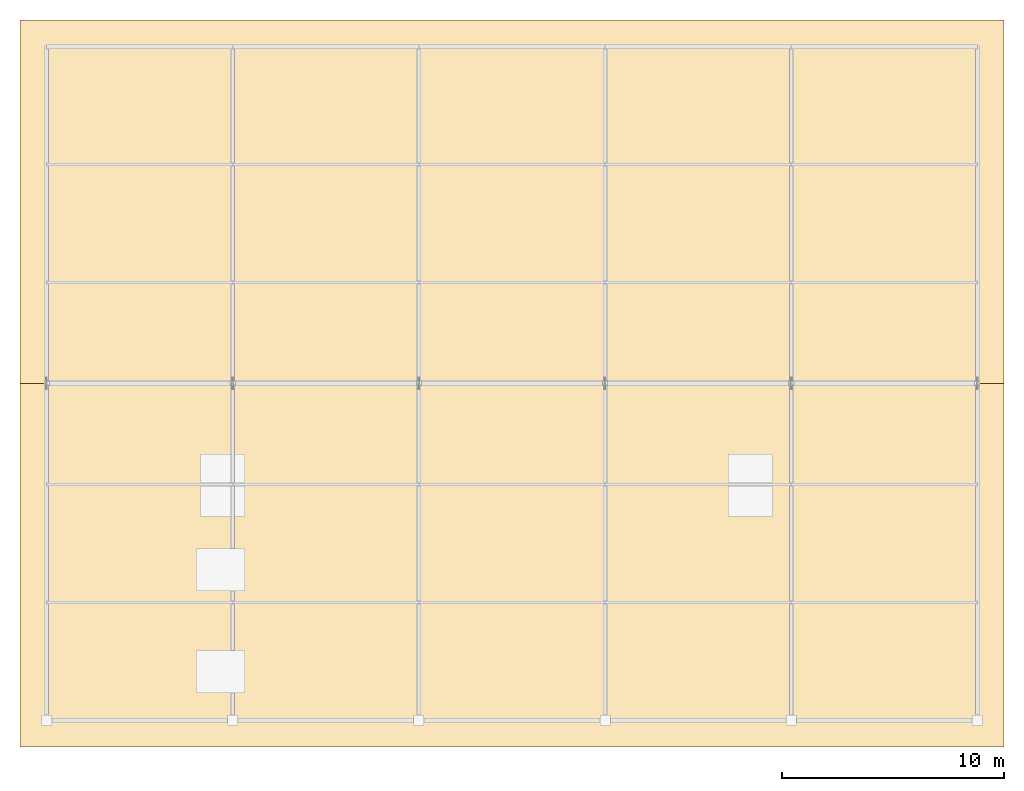
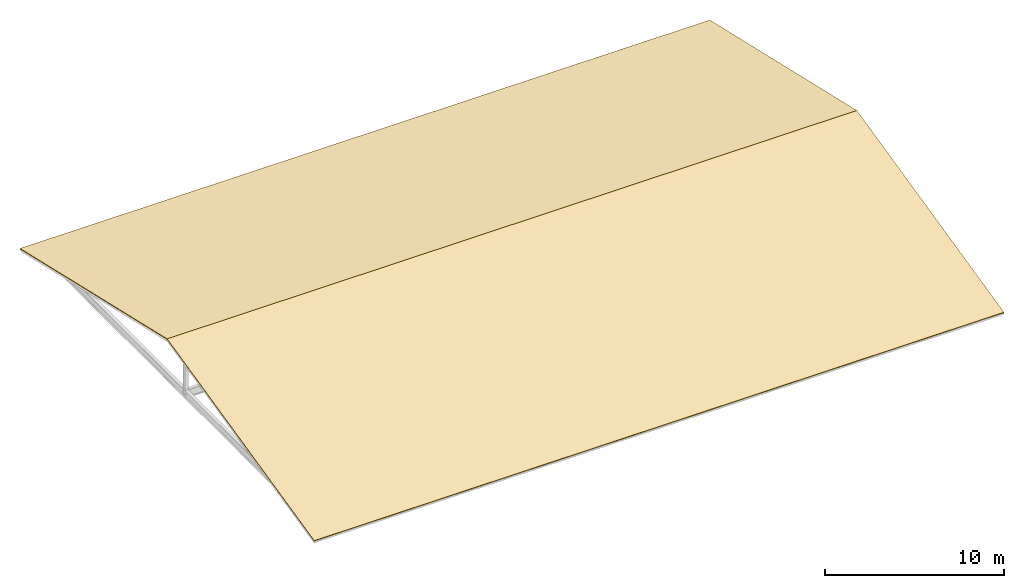
# One storey, part 8 of 8: 2 coverings.
"""IFC4 building model written with IfcOpenShell, lengths in metres."""

from ifc_helpers import new_model, si_unit, direction, frame, origin, place, context, subcontext, project, spatial, polyline, outline, extrude, material, layer, layer_set, type_object, element, save


model = new_model("IFC4")

# Units and contexts
model_context = context("Model", 3, precision=1e-05, world=origin(), true_north=direction((0.0, 1.0)))
body_context = subcontext(model_context, "Body", "Model", "MODEL_VIEW")
ifc_project = project(units=[si_unit("LENGTHUNIT", "METRE"), si_unit("AREAUNIT", "SQUARE_METRE"), si_unit("VOLUMEUNIT", "CUBIC_METRE"), si_unit("PLANEANGLEUNIT", "RADIAN"), si_unit("MASSUNIT", "GRAM", prefix="KILO")], contexts=[model_context])

# Site, building, storey
site_placement = place(None, origin())
site = spatial("IfcSite", under=ifc_project, at=site_placement, CompositionType="ELEMENT")
building_placement = place(site_placement, origin())
building = spatial("IfcBuilding", under=site, at=building_placement, Name="Zuvorla Pavilion Media Centre", CompositionType="ELEMENT")
storey_placement = place(building_placement, frame((0.0, 0.0, 31.199951171875)))
storey = spatial("IfcBuildingStorey", under=building, at=storey_placement, Name="RF", CompositionType="ELEMENT", Elevation=31.199951171875)

# Coverings
ifc_material = material(Name="Standing seam zinc-aluminium tropical roofing membrane", Category="aluminium")
ifc_layer = layer(ifc_material, 0.050048828125)
ifc_layer_set = layer_set([ifc_layer], Name="Standing seam zinc-aluminium tropical roofing membrane")
covering_type = type_object("IfcCoveringType", Name="COV-ROOF-MEM", PredefinedType="ROOFING", material=ifc_layer_set)
covering_1_placement = place(storey_placement, frame((65.60009765625, 4.800048828125, 0.050048828125), z_axis=(0.0, -0.225152926871, 0.974323436812), x_axis=(1.0, 0.0, 0.0)))
element("IfcCovering", 1, at=covering_1_placement, inside=storey, type_object=covering_type, Name="RF canopy roofing S", PredefinedType="ROOFING", context=body_context, shape_type="SweptSolid", body=[
    extrude(outline(polyline([(0.0, 0.0), (44.39990234375, 0.0), (44.39990234375, 16.832092633846997), (0.0, 16.832092633846997), (0.0, 0.0)])), origin(), (0.0, 0.0, -1.0), 0.050048828125),
])
covering_2_placement = place(storey_placement, frame((110.0, 37.60009765625, 0.050048828125), z_axis=(0.0, 0.225149745043, 0.974324172084), x_axis=(-1.0, 0.0, 0.0)))
element("IfcCovering", 2, at=covering_2_placement, inside=storey, type_object=covering_type, Name="RF canopy roofing N", PredefinedType="ROOFING", context=body_context, shape_type="SweptSolid", body=[
    extrude(outline(polyline([(0.0, 0.0), (44.39990234375, 0.0), (44.39990234375, 16.832330505869567), (0.0, 16.832330505869567), (0.0, 0.0)])), origin(), (0.0, 0.0, -1.0), 0.050048828125),
])

save(model, "model.ifc")
